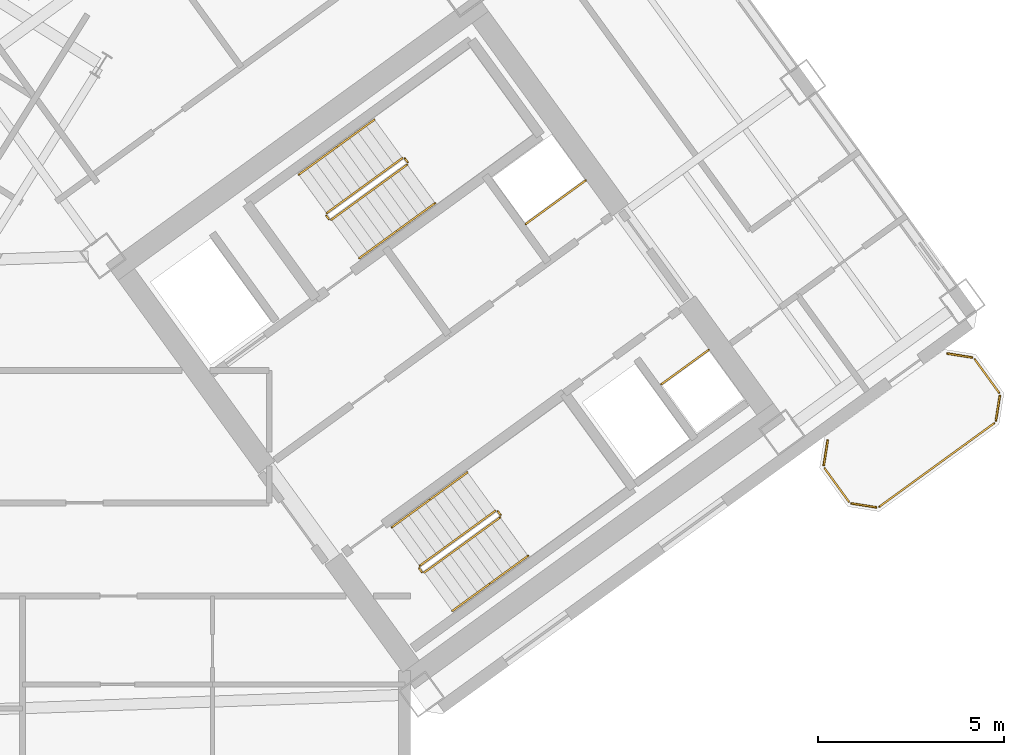
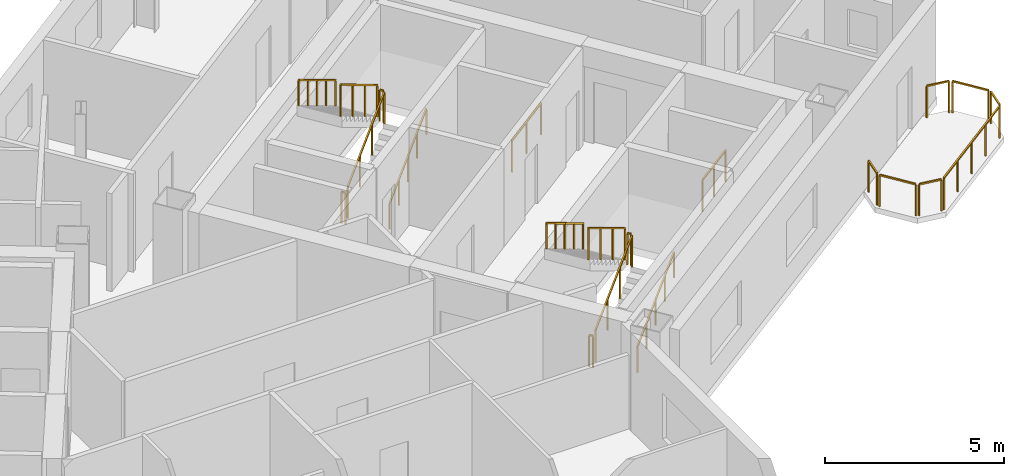
# One storey, part 19 of 20: 25 railings.
"""IFC4 building model written with IfcOpenShell, lengths in metres."""

from ifc_helpers import new_model, si_unit, direction, frame, origin, origin_2d, place, context, subcontext, project, spatial, rectangle, extrude, source, transform, mapped, material, type_object, element, save


model = new_model("IFC4")

# Units and contexts
model_context = context("Model", 3, precision=1e-05, world=origin(), true_north=direction((0.0, 1.0)))
body_context = subcontext(model_context, "Body", "Model", "MODEL_VIEW")
ifc_project = project(units=[si_unit("LENGTHUNIT", "METRE"), si_unit("AREAUNIT", "SQUARE_METRE"), si_unit("VOLUMEUNIT", "CUBIC_METRE"), si_unit("PLANEANGLEUNIT", "RADIAN"), si_unit("MASSUNIT", "GRAM", prefix="KILO")], contexts=[model_context])

# Site, building, storey
site_placement = place(None, origin())
site = spatial("IfcSite", under=ifc_project, at=site_placement, CompositionType="ELEMENT")
building_placement = place(site_placement, origin())
building = spatial("IfcBuilding", under=site, at=building_placement, Name="Tlacorven Tower", CompositionType="ELEMENT")
storey_placement = place(building_placement, frame((0.0, 0.0, 108.89990234375)))
storey = spatial("IfcBuildingStorey", under=building, at=storey_placement, Name="L27", CompositionType="ELEMENT", Elevation=108.89990234375)

# Railings
ifc_material = material(Name="Aluminium and painted steel balustrade", Category="steel")
railing_type_1 = type_object("IfcRailingType", Name="RL-GRD-1100", PredefinedType="GUARDRAIL", material=ifc_material)
shared_shape_1 = source(origin(), body_context, "Body", "SweptSolid", [
    extrude(rectangle(XDim=0.048095703125, YDim=0.048095703125, at=origin_2d()), frame((0.0, 0.0, 1.076171875), z_axis=(0.808947177504, 0.587881334972, 0.0), x_axis=(-0.587881334972, 0.808947177504, 0.0)), (0.0, 0.0, 1.0), 2.0),
    extrude(rectangle(XDim=0.0419921875, YDim=0.0419921875, at=origin_2d()), origin(), (0.0, 0.0, 1.0), 1.052001953125),
    extrude(rectangle(XDim=0.0419921875, YDim=0.0419921875, at=origin_2d()), frame((0.80908203125, 0.587890625, 0.0)), (0.0, 0.0, 1.0), 1.052001953125),
    extrude(rectangle(XDim=0.0419921875, YDim=0.0419921875, at=origin_2d()), frame((1.617919921875, 1.17578125, 0.0)), (0.0, 0.0, 1.0), 1.052001953125),
])
railing_1_placement = place(storey_placement, frame((55.506103515625, 25.438232421875, 0.0)))
element("IfcRailing", 1, at=railing_1_placement, inside=storey, type_object=railing_type_1, Name="L27 Electrical Riser E Shaft Guard 1", PredefinedType="GUARDRAIL", context=body_context, shape_type="MappedRepresentation", body=[
    mapped(shared_shape_1, transform((0.0, 0.0, 0.0), scale=1.0)),
])
shared_shape_2 = source(origin(), body_context, "Body", "SweptSolid", [
    extrude(rectangle(XDim=0.048095703125, YDim=0.048095703125, at=origin_2d()), frame((0.0, 0.0, 1.076171875), z_axis=(0.809029975545, 0.58776738483, 0.0), x_axis=(-0.58776738483, 0.809029975545, 0.0)), (0.0, 0.0, 1.0), 1.580078125),
    extrude(rectangle(XDim=0.0419921875, YDim=0.0419921875, at=origin_2d()), origin(), (0.0, 0.0, 1.0), 1.052001953125),
    extrude(rectangle(XDim=0.0419921875, YDim=0.0419921875, at=origin_2d()), frame((0.63916015625, 0.46435546875, 0.0)), (0.0, 0.0, 1.0), 1.052001953125),
    extrude(rectangle(XDim=0.0419921875, YDim=0.0419921875, at=origin_2d()), frame((1.2783203125, 0.9287109375, 0.0)), (0.0, 0.0, 1.0), 1.052001953125),
])
railing_2_placement = place(storey_placement, frame((59.160888671875, 21.122314453125, 0.0)))
element("IfcRailing", 2, at=railing_2_placement, inside=storey, type_object=railing_type_1, Name="L27 Smoke Riser E Shaft Guard 1", PredefinedType="GUARDRAIL", context=body_context, shape_type="MappedRepresentation", body=[
    mapped(shared_shape_2, transform((0.0, 0.0, 0.0), scale=1.0)),
])
railing_type_2 = type_object("IfcRailingType", Name="RL-BAL-1100", PredefinedType="BALUSTRADE", material=ifc_material)
shared_shape_3 = source(origin(), body_context, "Body", "SweptSolid", [
    extrude(rectangle(XDim=0.048095703125, YDim=0.048095703125, at=origin_2d()), frame((0.0, 0.0, 1.076171875), z_axis=(0.156602868908, 0.987661653326, 0.0), x_axis=(-0.987661653326, 0.156602868908, 0.0)), (0.0, 0.0, 1.0), 0.665771484375),
    extrude(rectangle(XDim=0.0419921875, YDim=0.0419921875, at=origin_2d()), origin(), (0.0, 0.0, 1.0), 1.052001953125),
    extrude(rectangle(XDim=0.0419921875, YDim=0.0419921875, at=origin_2d()), frame((0.104248046875, 0.657470703125, 0.0)), (0.0, 0.0, 1.0), 1.052001953125),
])
railing_3_placement = place(storey_placement, frame((63.539306640625, 18.949951171875, 0.0)))
element("IfcRailing", 3, at=railing_3_placement, inside=storey, type_object=railing_type_2, Name="BAL-L27-E-OUT Guard Railing 3", PredefinedType="BALUSTRADE", context=body_context, shape_type="MappedRepresentation", body=[
    mapped(shared_shape_3, transform((0.0, 0.0, 0.0), scale=1.0)),
])
shared_shape_4 = source(origin(), body_context, "Body", "SweptSolid", [
    extrude(rectangle(XDim=0.048095703125, YDim=0.048095703125, at=origin_2d()), frame((0.0, 0.0, 1.076171875), z_axis=(0.58788449985, -0.808944877501, 0.0), x_axis=(0.808944877501, 0.58788449985, 0.0)), (0.0, 0.0, 1.0), 1.112060546875),
    extrude(rectangle(XDim=0.0419921875, YDim=0.0419921875, at=origin_2d()), origin(), (0.0, 0.0, 1.0), 1.052001953125),
    extrude(rectangle(XDim=0.0419921875, YDim=0.0419921875, at=origin_2d()), frame((0.65380859375, -0.899658203125, 0.0)), (0.0, 0.0, 1.0), 1.052001953125),
])
railing_4_placement = place(storey_placement, frame((67.60595703125, 21.799072265625, 0.0)))
element("IfcRailing", 4, at=railing_4_placement, inside=storey, type_object=railing_type_2, Name="BAL-L27-E-OUT Guard Railing 5", PredefinedType="BALUSTRADE", context=body_context, shape_type="MappedRepresentation", body=[
    mapped(shared_shape_4, transform((0.0, 0.0, 0.0), scale=1.0)),
])
shared_shape_5 = source(origin(), body_context, "Body", "SweptSolid", [
    extrude(rectangle(XDim=0.048095703125, YDim=0.048095703125, at=origin_2d()), frame((0.0, 0.0, 1.076171875), z_axis=(-0.809018102573, -0.587783726986, 0.0), x_axis=(0.587783726986, -0.809018102573, 0.0)), (0.0, 0.0, 1.0), 3.817138671875),
    extrude(rectangle(XDim=0.0419921875, YDim=0.0419921875, at=origin_2d()), origin(), (0.0, 0.0, 1.0), 1.052001953125),
    extrude(rectangle(XDim=0.0419921875, YDim=0.0419921875, at=origin_2d()), frame((-0.77197265625, -0.56103515625, 0.0)), (0.0, 0.0, 1.0), 1.052001953125),
    extrude(rectangle(XDim=0.0419921875, YDim=0.0419921875, at=origin_2d()), frame((-1.5439453125, -1.121826171875, 0.0)), (0.0, 0.0, 1.0), 1.052001953125),
    extrude(rectangle(XDim=0.0419921875, YDim=0.0419921875, at=origin_2d()), frame((-2.316162109375, -1.6826171875, 0.0)), (0.0, 0.0, 1.0), 1.052001953125),
    extrude(rectangle(XDim=0.0419921875, YDim=0.0419921875, at=origin_2d()), frame((-3.088134765625, -2.24365234375, 0.0)), (0.0, 0.0, 1.0), 1.052001953125),
])
railing_5_placement = place(storey_placement, frame((68.12890625, 20.0732421875, 0.0)))
element("IfcRailing", 5, at=railing_5_placement, inside=storey, type_object=railing_type_2, Name="BAL-L27-E-OUT Guard Railing 7", PredefinedType="BALUSTRADE", context=body_context, shape_type="MappedRepresentation", body=[
    mapped(shared_shape_5, transform((0.0, 0.0, 0.0), scale=1.0)),
])
shared_shape_6 = source(origin(), body_context, "Body", "SweptSolid", [
    extrude(rectangle(XDim=0.048095703125, YDim=0.048095703125, at=origin_2d()), frame((0.0, 0.0, 1.076171875), z_axis=(-0.987718317463, 0.156245081039, 0.0), x_axis=(-0.156245081039, -0.987718317463, 0.0)), (0.0, 0.0, 1.0), 0.66552734375),
    extrude(rectangle(XDim=0.0419921875, YDim=0.0419921875, at=origin_2d()), origin(), (0.0, 0.0, 1.0), 1.052001953125),
    extrude(rectangle(XDim=0.0419921875, YDim=0.0419921875, at=origin_2d()), frame((-0.657470703125, 0.10400390625, 0.0)), (0.0, 0.0, 1.0), 1.052001953125),
])
railing_6_placement = place(storey_placement, frame((64.950927734375, 17.80810546875, 0.0)))
element("IfcRailing", 6, at=railing_6_placement, inside=storey, type_object=railing_type_2, Name="BAL-L27-E-OUT Guard Railing 1", PredefinedType="BALUSTRADE", context=body_context, shape_type="MappedRepresentation", body=[
    mapped(shared_shape_6, transform((0.0, 0.0, 0.0), scale=1.0)),
])
shared_shape_7 = source(origin(), body_context, "Body", "SweptSolid", [
    extrude(rectangle(XDim=0.048095703125, YDim=0.048095703125, at=origin_2d()), frame((0.0, 0.0, 1.076171875), z_axis=(-0.587740817519, 0.809049276263, 0.0), x_axis=(-0.809049276263, -0.587740817519, 0.0)), (0.0, 0.0, 1.0), 1.112060546875),
    extrude(rectangle(XDim=0.0419921875, YDim=0.0419921875, at=origin_2d()), origin(), (0.0, 0.0, 1.0), 1.052001953125),
    extrude(rectangle(XDim=0.0419921875, YDim=0.0419921875, at=origin_2d()), frame((-0.653564453125, 0.899658203125, 0.0)), (0.0, 0.0, 1.0), 1.052001953125),
])
railing_7_placement = place(storey_placement, frame((64.214599609375, 17.96044921875, 0.0)))
element("IfcRailing", 7, at=railing_7_placement, inside=storey, type_object=railing_type_2, Name="BAL-L27-E-OUT Guard Railing 2", PredefinedType="BALUSTRADE", context=body_context, shape_type="MappedRepresentation", body=[
    mapped(shared_shape_7, transform((0.0, 0.0, 0.0), scale=1.0)),
])
shared_shape_8 = source(origin(), body_context, "Body", "SweptSolid", [
    extrude(rectangle(XDim=0.048095703125, YDim=0.048095703125, at=origin_2d()), frame((0.0, 0.0, 1.076171875), z_axis=(-0.156245081039, -0.987718317463, 0.0), x_axis=(0.987718317463, -0.156245081039, 0.0)), (0.0, 0.0, 1.0), 0.66552734375),
    extrude(rectangle(XDim=0.0419921875, YDim=0.0419921875, at=origin_2d()), origin(), (0.0, 0.0, 1.0), 1.052001953125),
    extrude(rectangle(XDim=0.0419921875, YDim=0.0419921875, at=origin_2d()), frame((-0.10400390625, -0.657470703125, 0.0)), (0.0, 0.0, 1.0), 1.052001953125),
])
railing_8_placement = place(storey_placement, frame((68.28125, 20.8095703125, 0.0)))
element("IfcRailing", 8, at=railing_8_placement, inside=storey, type_object=railing_type_2, Name="BAL-L27-E-OUT Guard Railing 6", PredefinedType="BALUSTRADE", context=body_context, shape_type="MappedRepresentation", body=[
    mapped(shared_shape_8, transform((0.0, 0.0, 0.0), scale=1.0)),
])
shared_shape_9 = source(origin(), body_context, "Body", "SweptSolid", [
    extrude(rectangle(XDim=0.048095703125, YDim=0.048095703125, at=origin_2d()), frame((0.0, 0.0, 1.076171875), z_axis=(0.987727266442, -0.156188498702, 0.0), x_axis=(0.156188498702, 0.987727266442, 0.0)), (0.0, 0.0, 1.0), 0.665771484375),
    extrude(rectangle(XDim=0.0419921875, YDim=0.0419921875, at=origin_2d()), origin(), (0.0, 0.0, 1.0), 1.052001953125),
    extrude(rectangle(XDim=0.0419921875, YDim=0.0419921875, at=origin_2d()), frame((0.65771484375, -0.10400390625, 0.0)), (0.0, 0.0, 1.0), 1.052001953125),
])
railing_9_placement = place(storey_placement, frame((66.86962890625, 21.951416015625, 0.0)))
element("IfcRailing", 9, at=railing_9_placement, inside=storey, type_object=railing_type_2, Name="BAL-L27-E-OUT Guard Railing 4", PredefinedType="BALUSTRADE", context=body_context, shape_type="MappedRepresentation", body=[
    mapped(shared_shape_9, transform((0.0, 0.0, 0.0), scale=1.0)),
])
shared_shape_10 = source(origin(), body_context, "Body", "SweptSolid", [
    extrude(rectangle(XDim=0.048095703125, YDim=0.048095703125, at=origin_2d()), frame((0.0, 0.0, 1.076171875), z_axis=(-0.587567097037, 0.809175448515, 0.0), x_axis=(-0.809175448515, -0.587567097037, 0.0)), (0.0, 0.0, 1.0), 0.1201171875),
    extrude(rectangle(XDim=0.0419921875, YDim=0.0419921875, at=origin_2d()), origin(), (0.0, 0.0, 1.0), 1.052001953125),
    extrude(rectangle(XDim=0.0419921875, YDim=0.0419921875, at=origin_2d()), frame((-0.070556640625, 0.09716796875, 0.0)), (0.0, 0.0, 1.0), 1.052001953125),
])
for number, where, name in (
    (10, (54.8310546875, 17.605712890625, 1.800048828125), "L27 ST-E2 stair guard 2"),
    (11, (52.71142578125, 16.065673828125, 0.0), "L27 ST-E2 stair guard 4"),
):
    element("IfcRailing", number, at=place(storey_placement, frame(where)), inside=storey, type_object=railing_type_1, Name=name, PredefinedType="GUARDRAIL", context=body_context, shape_type="MappedRepresentation", body=[
        mapped(shared_shape_10, transform((0.0, 0.0, 0.0), scale=1.0)),
    ])
shared_shape_11 = source(origin(), body_context, "Body", "SweptSolid", [
    extrude(rectangle(XDim=0.048095703125, YDim=0.048095703125, at=origin_2d()), frame((0.0, 0.0, 1.076171875), z_axis=(-0.587201422542, 0.809440849824, 0.0), x_axis=(-0.809440849824, -0.587201422542, 0.0)), (0.0, 0.0, 1.0), 0.11962890625),
    extrude(rectangle(XDim=0.0419921875, YDim=0.0419921875, at=origin_2d()), origin(), (0.0, 0.0, 1.0), 1.052001953125),
    extrude(rectangle(XDim=0.0419921875, YDim=0.0419921875, at=origin_2d()), frame((-0.0703125, 0.096923828125, 0.0)), (0.0, 0.0, 1.0), 1.052001953125),
])
for number, where, name in (
    (12, (52.326904296875, 27.10888671875, 1.800048828125), "L27 ST-E1 stair guard 2"),
    (13, (50.207275390625, 25.56884765625, 0.0), "L27 ST-E1 stair guard 4"),
):
    element("IfcRailing", number, at=place(storey_placement, frame(where)), inside=storey, type_object=railing_type_1, Name=name, PredefinedType="GUARDRAIL", context=body_context, shape_type="MappedRepresentation", body=[
        mapped(shared_shape_11, transform((0.0, 0.0, 0.0), scale=1.0)),
    ])
shared_shape_12 = source(origin(), body_context, "Body", "SweptSolid", [
    extrude(rectangle(XDim=0.048095703125, YDim=0.048095703125, at=origin_2d()), frame((0.0, 0.0, 1.076171875), z_axis=(-0.680488636597, -0.494434078831, 0.540805100894), x_axis=(0.5878087079, -0.808999952359, 0.0)), (0.0, 0.0, 1.0), 2.995849609375),
    extrude(rectangle(XDim=0.0419921875, YDim=0.0419921875, at=origin_2d()), origin(), (0.0, 0.0, 1.0), 1.052001953125),
    extrude(rectangle(XDim=0.0419921875, YDim=0.0419921875, at=origin_2d()), frame((-0.679443359375, -0.49365234375, 0.5400390625)), (0.0, 0.0, 1.0), 1.052001953125),
    extrude(rectangle(XDim=0.0419921875, YDim=0.0419921875, at=origin_2d()), frame((-1.359130859375, -0.987548828125, 1.080078125)), (0.0, 0.0, 1.0), 1.052001953125),
    extrude(rectangle(XDim=0.0419921875, YDim=0.0419921875, at=origin_2d()), frame((-2.03857421875, -1.481201171875, 1.6201171875)), (0.0, 0.0, 1.0), 1.052001953125),
])
railing_10_placement = place(storey_placement, frame((52.1865234375, 27.217041015625, 1.97998046875)))
element("IfcRailing", 14, at=railing_10_placement, inside=storey, type_object=railing_type_1, Name="L27 ST-E1 stair guard 3", PredefinedType="GUARDRAIL", context=body_context, shape_type="MappedRepresentation", body=[
    mapped(shared_shape_12, transform((0.0, 0.0, 0.0), scale=1.0)),
])
railing_type_3 = type_object("IfcRailingType", Name="RL-HND-0900", PredefinedType="HANDRAIL", material=ifc_material)
shared_shape_13 = source(origin(), body_context, "Body", "SweptSolid", [
    extrude(rectangle(XDim=0.048095703125, YDim=0.048095703125, at=origin_2d()), frame((0.0, 0.0, 0.8759765625), z_axis=(0.680516055757, 0.494372502302, 0.540826891737), x_axis=(-0.587745292299, 0.809046025502, 0.0)), (0.0, 0.0, 1.0), 1.497802734375),
    extrude(rectangle(XDim=0.0419921875, YDim=0.0419921875, at=origin_2d()), origin(), (0.0, 0.0, 1.0), 0.851806640625),
    extrude(rectangle(XDim=0.0419921875, YDim=0.0419921875, at=origin_2d()), frame((0.509765625, 0.3701171875, 0.405029296875)), (0.0, 0.0, 1.0), 0.851806640625),
    extrude(rectangle(XDim=0.0419921875, YDim=0.0419921875, at=origin_2d()), frame((1.019287109375, 0.740478515625, 0.81005859375)), (0.0, 0.0, 1.0), 0.851806640625),
])
railing_11_placement = place(storey_placement, frame((54.552978515625, 15.759765625, 0.989990234375)))
element("IfcRailing", 15, at=railing_11_placement, inside=storey, type_object=railing_type_3, Name="L27 ST-E2 stair handrail 2", PredefinedType="HANDRAIL", context=body_context, shape_type="MappedRepresentation", body=[
    mapped(shared_shape_13, transform((0.0, 0.0, 0.0), scale=1.0)),
])
shared_shape_14 = source(origin(), body_context, "Body", "SweptSolid", [
    extrude(rectangle(XDim=0.048095703125, YDim=0.048095703125, at=origin_2d()), frame((0.0, 0.0, 0.8759765625), z_axis=(0.680548719995, 0.49444080854, 0.540723336433), x_axis=(-0.587779977844, 0.80902082646, 0.0)), (0.0, 0.0, 1.0), 1.498046875),
    extrude(rectangle(XDim=0.0419921875, YDim=0.0419921875, at=origin_2d()), origin(), (0.0, 0.0, 1.0), 0.851806640625),
    extrude(rectangle(XDim=0.0419921875, YDim=0.0419921875, at=origin_2d()), frame((0.509765625, 0.370361328125, 0.405029296875)), (0.0, 0.0, 1.0), 0.851806640625),
    extrude(rectangle(XDim=0.0419921875, YDim=0.0419921875, at=origin_2d()), frame((1.01953125, 0.74072265625, 0.81005859375)), (0.0, 0.0, 1.0), 0.851806640625),
])
railing_12_placement = place(storey_placement, frame((52.048828125, 25.2626953125, 0.989990234375)))
element("IfcRailing", 16, at=railing_12_placement, inside=storey, type_object=railing_type_3, Name="L27 ST-E1 stair handrail 2", PredefinedType="HANDRAIL", context=body_context, shape_type="MappedRepresentation", body=[
    mapped(shared_shape_14, transform((0.0, 0.0, 0.0), scale=1.0)),
])
shared_shape_15 = source(origin(), body_context, "Body", "SweptSolid", [
    extrude(rectangle(XDim=0.048095703125, YDim=0.048095703125, at=origin_2d()), frame((0.0, 0.0, 0.8759765625), z_axis=(-0.680603554404, -0.494317667746, 0.540766904577), x_axis=(0.587653156371, -0.809112951205, 0.0)), (0.0, 0.0, 1.0), 1.498046875),
    extrude(rectangle(XDim=0.0419921875, YDim=0.0419921875, at=origin_2d()), origin(), (0.0, 0.0, 1.0), 0.851806640625),
    extrude(rectangle(XDim=0.0419921875, YDim=0.0419921875, at=origin_2d()), frame((-0.509765625, -0.3701171875, 0.405029296875)), (0.0, 0.0, 1.0), 0.851806640625),
    extrude(rectangle(XDim=0.0419921875, YDim=0.0419921875, at=origin_2d()), frame((-1.01953125, -0.740478515625, 0.81005859375)), (0.0, 0.0, 1.0), 0.851806640625),
])
railing_13_placement = place(storey_placement, frame((51.434326171875, 28.25244140625, 1.97998046875)))
element("IfcRailing", 17, at=railing_13_placement, inside=storey, type_object=railing_type_3, Name="L27 ST-E1 stair handrail 3", PredefinedType="HANDRAIL", context=body_context, shape_type="MappedRepresentation", body=[
    mapped(shared_shape_15, transform((0.0, 0.0, 0.0), scale=1.0)),
])
shared_shape_16 = source(origin(), body_context, "Body", "SweptSolid", [
    extrude(rectangle(XDim=0.048095703125, YDim=0.048095703125, at=origin_2d()), frame((0.0, 0.0, 0.8759765625), z_axis=(-0.680461216233, -0.494495647917, 0.540783309093), x_axis=(0.587872112667, -0.808953879494, 0.0)), (0.0, 0.0, 1.0), 1.498046875),
    extrude(rectangle(XDim=0.0419921875, YDim=0.0419921875, at=origin_2d()), origin(), (0.0, 0.0, 1.0), 0.851806640625),
    extrude(rectangle(XDim=0.0419921875, YDim=0.0419921875, at=origin_2d()), frame((-0.509765625, -0.370361328125, 0.405029296875)), (0.0, 0.0, 1.0), 0.851806640625),
    extrude(rectangle(XDim=0.0419921875, YDim=0.0419921875, at=origin_2d()), frame((-1.019287109375, -0.74072265625, 0.81005859375)), (0.0, 0.0, 1.0), 0.851806640625),
])
for number, where, name in (
    (18, (50.414794921875, 27.511962890625, 2.7900390625), "L27 ST-E1 stair handrail 4"),
    (19, (52.9189453125, 18.0087890625, 2.7900390625), "L27 ST-E2 stair handrail 4"),
):
    element("IfcRailing", number, at=place(storey_placement, frame(where)), inside=storey, type_object=railing_type_3, Name=name, PredefinedType="HANDRAIL", context=body_context, shape_type="MappedRepresentation", body=[
        mapped(shared_shape_16, transform((0.0, 0.0, 0.0), scale=1.0)),
    ])
shared_shape_17 = source(origin(), body_context, "Body", "SweptSolid", [
    extrude(rectangle(XDim=0.048095703125, YDim=0.048095703125, at=origin_2d()), frame((0.0, 0.0, 1.076171875), z_axis=(0.680518627673, 0.494455869951, 0.540747436481), x_axis=(-0.5878087079, 0.808999952359, 0.0)), (0.0, 0.0, 1.0), 2.99560546875),
    extrude(rectangle(XDim=0.0419921875, YDim=0.0419921875, at=origin_2d()), origin(), (0.0, 0.0, 1.0), 1.052001953125),
    extrude(rectangle(XDim=0.0419921875, YDim=0.0419921875, at=origin_2d()), frame((0.679443359375, 0.49365234375, 0.5400390625)), (0.0, 0.0, 1.0), 1.052001953125),
    extrude(rectangle(XDim=0.0419921875, YDim=0.0419921875, at=origin_2d()), frame((1.359130859375, 0.987548828125, 1.079833984375)), (0.0, 0.0, 1.0), 1.052001953125),
    extrude(rectangle(XDim=0.0419921875, YDim=0.0419921875, at=origin_2d()), frame((2.03857421875, 1.481201171875, 1.619873046875)), (0.0, 0.0, 1.0), 1.052001953125),
])
railing_14_placement = place(storey_placement, frame((50.27734375, 25.557861328125, 0.18017578125)))
element("IfcRailing", 20, at=railing_14_placement, inside=storey, type_object=railing_type_1, Name="L27 ST-E1 stair guard 1", PredefinedType="GUARDRAIL", context=body_context, shape_type="MappedRepresentation", body=[
    mapped(shared_shape_17, transform((0.0, 0.0, 0.0), scale=1.0)),
])
shared_shape_18 = source(origin(), body_context, "Body", "SweptSolid", [
    extrude(rectangle(XDim=0.048095703125, YDim=0.048095703125, at=origin_2d()), frame((0.0, 0.0, 0.8759765625), z_axis=(0.680576044605, 0.494416082224, 0.54071155448), x_axis=(-0.587745292299, 0.809046025502, 0.0)), (0.0, 0.0, 1.0), 1.497802734375),
    extrude(rectangle(XDim=0.0419921875, YDim=0.0419921875, at=origin_2d()), origin(), (0.0, 0.0, 1.0), 0.851806640625),
    extrude(rectangle(XDim=0.0419921875, YDim=0.0419921875, at=origin_2d()), frame((0.509765625, 0.3701171875, 0.40478515625)), (0.0, 0.0, 1.0), 0.851806640625),
    extrude(rectangle(XDim=0.0419921875, YDim=0.0419921875, at=origin_2d()), frame((1.019287109375, 0.740478515625, 0.809814453125)), (0.0, 0.0, 1.0), 0.851806640625),
])
railing_15_placement = place(storey_placement, frame((51.029541015625, 24.522216796875, 0.18017578125)))
element("IfcRailing", 21, at=railing_15_placement, inside=storey, type_object=railing_type_3, Name="L27 ST-E1 stair handrail 1", PredefinedType="HANDRAIL", context=body_context, shape_type="MappedRepresentation", body=[
    mapped(shared_shape_18, transform((0.0, 0.0, 0.0), scale=1.0)),
])
shared_shape_19 = source(origin(), body_context, "Body", "SweptSolid", [
    extrude(rectangle(XDim=0.048095703125, YDim=0.048095703125, at=origin_2d()), frame((0.0, 0.0, 1.076171875), z_axis=(-0.680532390839, -0.494406659708, 0.54077511024), x_axis=(0.587762637553, -0.809033424462, 0.0)), (0.0, 0.0, 1.0), 2.995849609375),
    extrude(rectangle(XDim=0.0419921875, YDim=0.0419921875, at=origin_2d()), origin(), (0.0, 0.0, 1.0), 1.052001953125),
    extrude(rectangle(XDim=0.0419921875, YDim=0.0419921875, at=origin_2d()), frame((-0.6796875, -0.49365234375, 0.5400390625)), (0.0, 0.0, 1.0), 1.052001953125),
    extrude(rectangle(XDim=0.0419921875, YDim=0.0419921875, at=origin_2d()), frame((-1.359130859375, -0.987548828125, 1.080078125)), (0.0, 0.0, 1.0), 1.052001953125),
    extrude(rectangle(XDim=0.0419921875, YDim=0.0419921875, at=origin_2d()), frame((-2.038818359375, -1.481201171875, 1.6201171875)), (0.0, 0.0, 1.0), 1.052001953125),
])
railing_16_placement = place(storey_placement, frame((54.690673828125, 17.7138671875, 1.97998046875)))
element("IfcRailing", 22, at=railing_16_placement, inside=storey, type_object=railing_type_1, Name="L27 ST-E2 stair guard 3", PredefinedType="GUARDRAIL", context=body_context, shape_type="MappedRepresentation", body=[
    mapped(shared_shape_19, transform((0.0, 0.0, 0.0), scale=1.0)),
])
shared_shape_20 = source(origin(), body_context, "Body", "SweptSolid", [
    extrude(rectangle(XDim=0.048095703125, YDim=0.048095703125, at=origin_2d()), frame((0.0, 0.0, 0.8759765625), z_axis=(-0.680516055757, -0.494372502302, 0.540826891737), x_axis=(0.587745292299, -0.809046025502, 0.0)), (0.0, 0.0, 1.0), 1.497802734375),
    extrude(rectangle(XDim=0.0419921875, YDim=0.0419921875, at=origin_2d()), origin(), (0.0, 0.0, 1.0), 0.851806640625),
    extrude(rectangle(XDim=0.0419921875, YDim=0.0419921875, at=origin_2d()), frame((-0.509765625, -0.3701171875, 0.405029296875)), (0.0, 0.0, 1.0), 0.851806640625),
    extrude(rectangle(XDim=0.0419921875, YDim=0.0419921875, at=origin_2d()), frame((-1.019287109375, -0.740478515625, 0.81005859375)), (0.0, 0.0, 1.0), 0.851806640625),
])
railing_17_placement = place(storey_placement, frame((53.938232421875, 18.749267578125, 1.97998046875)))
element("IfcRailing", 23, at=railing_17_placement, inside=storey, type_object=railing_type_3, Name="L27 ST-E2 stair handrail 3", PredefinedType="HANDRAIL", context=body_context, shape_type="MappedRepresentation", body=[
    mapped(shared_shape_20, transform((0.0, 0.0, 0.0), scale=1.0)),
])
shared_shape_21 = source(origin(), body_context, "Body", "SweptSolid", [
    extrude(rectangle(XDim=0.048095703125, YDim=0.048095703125, at=origin_2d()), frame((0.0, 0.0, 1.076171875), z_axis=(0.680562380517, 0.494428447203, 0.540717446381), x_axis=(-0.587762637553, 0.809033424462, 0.0)), (0.0, 0.0, 1.0), 2.995849609375),
    extrude(rectangle(XDim=0.0419921875, YDim=0.0419921875, at=origin_2d()), origin(), (0.0, 0.0, 1.0), 1.052001953125),
    extrude(rectangle(XDim=0.0419921875, YDim=0.0419921875, at=origin_2d()), frame((0.6796875, 0.49365234375, 0.5400390625)), (0.0, 0.0, 1.0), 1.052001953125),
    extrude(rectangle(XDim=0.0419921875, YDim=0.0419921875, at=origin_2d()), frame((1.359130859375, 0.987548828125, 1.079833984375)), (0.0, 0.0, 1.0), 1.052001953125),
    extrude(rectangle(XDim=0.0419921875, YDim=0.0419921875, at=origin_2d()), frame((2.038818359375, 1.481201171875, 1.619873046875)), (0.0, 0.0, 1.0), 1.052001953125),
])
railing_18_placement = place(storey_placement, frame((52.78125, 16.0546875, 0.18017578125)))
element("IfcRailing", 24, at=railing_18_placement, inside=storey, type_object=railing_type_1, Name="L27 ST-E2 stair guard 1", PredefinedType="GUARDRAIL", context=body_context, shape_type="MappedRepresentation", body=[
    mapped(shared_shape_21, transform((0.0, 0.0, 0.0), scale=1.0)),
])
shared_shape_22 = source(origin(), body_context, "Body", "SweptSolid", [
    extrude(rectangle(XDim=0.048095703125, YDim=0.048095703125, at=origin_2d()), frame((0.0, 0.0, 0.8759765625), z_axis=(0.680521190579, 0.494539231669, 0.540667973449), x_axis=(-0.587872112667, 0.808953879494, 0.0)), (0.0, 0.0, 1.0), 1.497802734375),
    extrude(rectangle(XDim=0.0419921875, YDim=0.0419921875, at=origin_2d()), origin(), (0.0, 0.0, 1.0), 0.851806640625),
    extrude(rectangle(XDim=0.0419921875, YDim=0.0419921875, at=origin_2d()), frame((0.509765625, 0.370361328125, 0.40478515625)), (0.0, 0.0, 1.0), 0.851806640625),
    extrude(rectangle(XDim=0.0419921875, YDim=0.0419921875, at=origin_2d()), frame((1.019287109375, 0.74072265625, 0.809814453125)), (0.0, 0.0, 1.0), 0.851806640625),
])
railing_19_placement = place(storey_placement, frame((53.53369140625, 15.01904296875, 0.18017578125)))
element("IfcRailing", 25, at=railing_19_placement, inside=storey, type_object=railing_type_3, Name="L27 ST-E2 stair handrail 1", PredefinedType="HANDRAIL", context=body_context, shape_type="MappedRepresentation", body=[
    mapped(shared_shape_22, transform((0.0, 0.0, 0.0), scale=1.0)),
])

save(model, "model.ifc")
